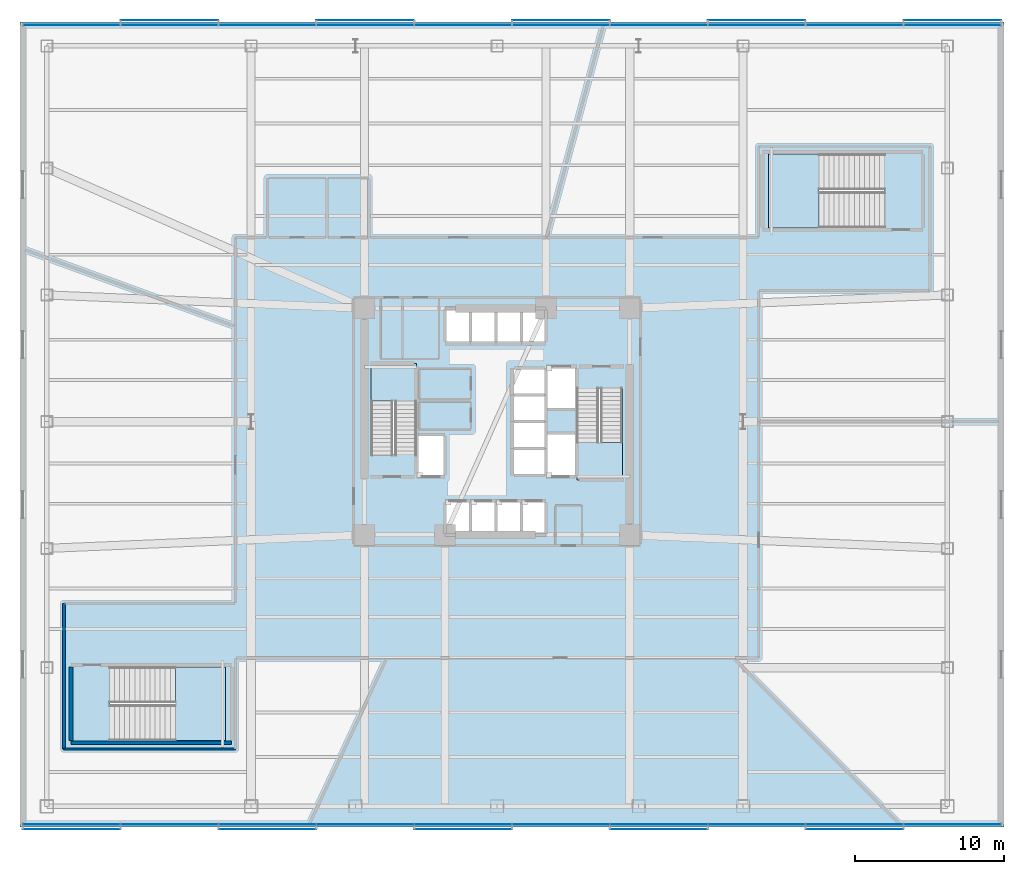
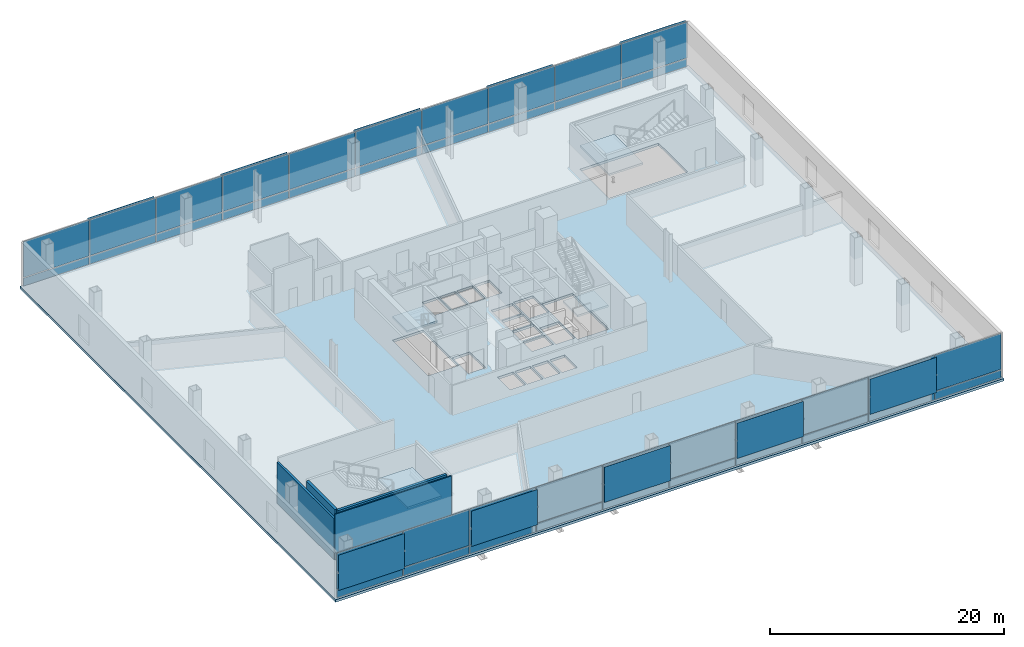
# One storey, part 10 of 24: 50 plates, 5 slabs, 4 walls, 6 elements without a shape of their own.
"""IFC4 building model written with IfcOpenShell, lengths in metres."""

from ifc_helpers import new_model, si_unit, direction, frame, frame_2d, origin, origin_2d, place, context, subcontext, project, spatial, polyline, rectangle, outline, extrude, material, layer, layer_set, type_object, element, aggregate, save


model = new_model("IFC4")

# Units and contexts
model_context = context("Model", 3, precision=1e-05, world=origin(), true_north=direction((0.0, 1.0)))
body_context = subcontext(model_context, "Body", "Model", "MODEL_VIEW")
ifc_project = project(units=[si_unit("LENGTHUNIT", "METRE"), si_unit("AREAUNIT", "SQUARE_METRE"), si_unit("VOLUMEUNIT", "CUBIC_METRE"), si_unit("PLANEANGLEUNIT", "RADIAN"), si_unit("MASSUNIT", "GRAM", prefix="KILO")], contexts=[model_context])

# Site, building, storey
site_placement = place(None, origin())
site = spatial("IfcSite", under=ifc_project, at=site_placement, CompositionType="ELEMENT")
building_placement = place(site_placement, origin())
building = spatial("IfcBuilding", under=site, at=building_placement, Name="Tharavind Bronze Gate", CompositionType="ELEMENT")
storey_placement = place(building_placement, frame((0.0, 0.0, 21.5)))
storey = spatial("IfcBuildingStorey", under=building, at=storey_placement, Name="L04", CompositionType="ELEMENT", Elevation=21.5)

# Plates
ifc_material_1 = material(Name="Perforated Bronze Alloy", Category="bronze")
ifc_layer_1 = layer(ifc_material_1, 0.011962890625)
ifc_layer_set_1 = layer_set([ifc_layer_1], Name="Perforated Bronze Alloy")
plate_type_1 = type_object("IfcPlateType", Name="BRONZE PERFORATED SOLAR SCREEN", PredefinedType="USERDEFINED", material=ifc_layer_set_1)
for number, where, z_axis, x_axis, name in (
    (1, (-28.5380859375, -27.3349609375, 0.97412109375), (0.0, 0.0, 1.0), (1.0, 0.0, 0.0), "CW-L04-S1 perforated bronze solar screen 1"),
    (2, (-15.409912109375, -27.3349609375, 0.97412109375), (0.0, 0.0, 1.0), (1.0, 0.0, 0.0), "CW-L04-S1 perforated bronze solar screen 3"),
    (3, (-2.281982421875, -27.3349609375, 0.97412109375), (0.0, 0.0, 1.0), (1.0, 0.0, 0.0), "CW-L04-S1 perforated bronze solar screen 5"),
    (4, (10.845947265625, -27.3349609375, 0.97412109375), (0.0, 0.0, 1.0), (1.0, 0.0, 0.0), "CW-L04-S1 perforated bronze solar screen 7"),
    (5, (23.97412109375, -27.3349609375, 0.97412109375), (0.0, 0.0, 1.0), (1.0, 0.0, 0.0), "CW-L04-S1 perforated bronze solar screen 9"),
    (6, (30.5380859375, 26.93505859375, 0.97412109375), (0.0, 0.0, 1.0), (-1.0, 0.0, 0.0), "CW-L04-S2 perforated bronze solar screen 1"),
    (7, (17.409912109375, 26.93505859375, 0.97412109375), (0.0, 0.0, 1.0), (-1.0, 0.0, 0.0), "CW-L04-S2 perforated bronze solar screen 3"),
    (8, (4.281982421875, 26.93505859375, 0.97412109375), (0.0, 0.0, 1.0), (-1.0, 0.0, 0.0), "CW-L04-S2 perforated bronze solar screen 5"),
    (9, (-8.845947265625, 26.93505859375, 0.97412109375), (0.0, 0.0, 1.0), (-1.0, 0.0, 0.0), "CW-L04-S2 perforated bronze solar screen 7"),
    (10, (-21.97412109375, 26.93505859375, 0.97412109375), (0.0, 0.0, 1.0), (-1.0, 0.0, 0.0), "CW-L04-S2 perforated bronze solar screen 9"),
):
    element("IfcPlate", number, at=place(storey_placement, frame(where, z_axis=z_axis, x_axis=x_axis)), inside=storey, type_object=plate_type_1, Name=name, ObjectType="SCREEN", PredefinedType="USERDEFINED", context=body_context, shape_type="SweptSolid", body=[
        extrude(rectangle(XDim=6.5439453125, YDim=0.011962890625, at=origin_2d()), origin(), (0.0, 0.0, 1.0), 3.69189453125),
    ])

# Curtain wall, plates
ifc_material_2 = material(Name="Anodised Bronze Aluminium", Category="aluminium")
ifc_layer_2 = layer(ifc_material_2, 0.219970703125)
ifc_layer_set_2 = layer_set([ifc_layer_2], Name="Anodised Bronze Aluminium")
curtain_wall_type = type_object("IfcCurtainWallType", Name="UNITISED CURTAIN WALL PODIUM", PredefinedType="USERDEFINED", material=ifc_layer_set_2)
curtain_wall_1_placement = place(storey_placement, origin())
curtain_wall_1 = element("IfcCurtainWall", 11, at=curtain_wall_1_placement, inside=storey, type_object=curtain_wall_type, Name="L04 unitised curtain wall podium CW-L04-S1", ObjectType="UNITISED CURTAIN WALL", PredefinedType="USERDEFINED")
ifc_material_3 = material(Name="Patinated Bronze Alloy Sheet", Category="bronze")
ifc_layer_3 = layer(ifc_material_3, 0.01611328125)
ifc_layer_set_3 = layer_set([ifc_layer_3], Name="Patinated Bronze Alloy Sheet")
plate_type_2 = type_object("IfcPlateType", Name="BRONZE SPANDREL CLADDING PANEL 16", PredefinedType="CURTAIN_PANEL", material=ifc_layer_set_3)
plate_1_placement = place(storey_placement, frame((-28.5380859375, -27.02001953125, 0.033935546875), z_axis=(0.0, 0.0, 1.0), x_axis=(1.0, 0.0, 0.0)))
plate_1 = element("IfcPlate", 12, at=plate_1_placement, type_object=plate_type_2, Name="CW-L04-S1 bronze spandrel panel 1", PredefinedType="CURTAIN_PANEL", context=body_context, shape_type="SweptSolid", body=[
    extrude(rectangle(XDim=6.49609375, YDim=0.01611328125, at=origin_2d()), origin(), (0.0, 0.0, 1.0), 0.83203125),
])
plate_2_placement = place(storey_placement, frame((-21.97412109375, -27.02001953125, 0.033935546875), z_axis=(0.0, 0.0, 1.0), x_axis=(1.0, 0.0, 0.0)))
plate_2 = element("IfcPlate", 13, at=plate_2_placement, type_object=plate_type_2, Name="CW-L04-S1 bronze spandrel panel 2", PredefinedType="CURTAIN_PANEL", context=body_context, shape_type="SweptSolid", body=[
    extrude(rectangle(XDim=6.49609375, YDim=0.01611328125, at=origin_2d()), origin(), (0.0, 0.0, 1.0), 0.83203125),
])
plate_3_placement = place(storey_placement, frame((-15.409912109375, -27.02001953125, 0.033935546875), z_axis=(0.0, 0.0, 1.0), x_axis=(1.0, 0.0, 0.0)))
plate_3 = element("IfcPlate", 14, at=plate_3_placement, type_object=plate_type_2, Name="CW-L04-S1 bronze spandrel panel 3", PredefinedType="CURTAIN_PANEL", context=body_context, shape_type="SweptSolid", body=[
    extrude(rectangle(XDim=6.49609375, YDim=0.01611328125, at=origin_2d()), origin(), (0.0, 0.0, 1.0), 0.83203125),
])
plate_4_placement = place(storey_placement, frame((-8.845947265625, -27.02001953125, 0.033935546875), z_axis=(0.0, 0.0, 1.0), x_axis=(1.0, 0.0, 0.0)))
plate_4 = element("IfcPlate", 15, at=plate_4_placement, type_object=plate_type_2, Name="CW-L04-S1 bronze spandrel panel 4", PredefinedType="CURTAIN_PANEL", context=body_context, shape_type="SweptSolid", body=[
    extrude(rectangle(XDim=6.49609375, YDim=0.01611328125, at=origin_2d()), origin(), (0.0, 0.0, 1.0), 0.83203125),
])
plate_5_placement = place(storey_placement, frame((-2.281982421875, -27.02001953125, 0.033935546875), z_axis=(0.0, 0.0, 1.0), x_axis=(1.0, 0.0, 0.0)))
plate_5 = element("IfcPlate", 16, at=plate_5_placement, type_object=plate_type_2, Name="CW-L04-S1 bronze spandrel panel 5", PredefinedType="CURTAIN_PANEL", context=body_context, shape_type="SweptSolid", body=[
    extrude(rectangle(XDim=6.49609375, YDim=0.01611328125, at=origin_2d()), origin(), (0.0, 0.0, 1.0), 0.83203125),
])
plate_6_placement = place(storey_placement, frame((4.281982421875, -27.02001953125, 0.033935546875), z_axis=(0.0, 0.0, 1.0), x_axis=(1.0, 0.0, 0.0)))
plate_6 = element("IfcPlate", 17, at=plate_6_placement, type_object=plate_type_2, Name="CW-L04-S1 bronze spandrel panel 6", PredefinedType="CURTAIN_PANEL", context=body_context, shape_type="SweptSolid", body=[
    extrude(rectangle(XDim=6.49609375, YDim=0.01611328125, at=origin_2d()), origin(), (0.0, 0.0, 1.0), 0.83203125),
])
plate_7_placement = place(storey_placement, frame((10.845947265625, -27.02001953125, 0.033935546875), z_axis=(0.0, 0.0, 1.0), x_axis=(1.0, 0.0, 0.0)))
plate_7 = element("IfcPlate", 18, at=plate_7_placement, type_object=plate_type_2, Name="CW-L04-S1 bronze spandrel panel 7", PredefinedType="CURTAIN_PANEL", context=body_context, shape_type="SweptSolid", body=[
    extrude(rectangle(XDim=6.49609375, YDim=0.01611328125, at=origin_2d()), origin(), (0.0, 0.0, 1.0), 0.83203125),
])
plate_8_placement = place(storey_placement, frame((17.409912109375, -27.02001953125, 0.033935546875), z_axis=(0.0, 0.0, 1.0), x_axis=(1.0, 0.0, 0.0)))
plate_8 = element("IfcPlate", 19, at=plate_8_placement, type_object=plate_type_2, Name="CW-L04-S1 bronze spandrel panel 8", PredefinedType="CURTAIN_PANEL", context=body_context, shape_type="SweptSolid", body=[
    extrude(rectangle(XDim=6.49609375, YDim=0.01611328125, at=origin_2d()), origin(), (0.0, 0.0, 1.0), 0.83203125),
])
plate_9_placement = place(storey_placement, frame((23.97412109375, -27.02001953125, 0.033935546875), z_axis=(0.0, 0.0, 1.0), x_axis=(1.0, 0.0, 0.0)))
plate_9 = element("IfcPlate", 20, at=plate_9_placement, type_object=plate_type_2, Name="CW-L04-S1 bronze spandrel panel 9", PredefinedType="CURTAIN_PANEL", context=body_context, shape_type="SweptSolid", body=[
    extrude(rectangle(XDim=6.49609375, YDim=0.01611328125, at=origin_2d()), origin(), (0.0, 0.0, 1.0), 0.83203125),
])
plate_10_placement = place(storey_placement, frame((30.5380859375, -27.02001953125, 0.033935546875), z_axis=(0.0, 0.0, 1.0), x_axis=(1.0, 0.0, 0.0)))
plate_10 = element("IfcPlate", 21, at=plate_10_placement, type_object=plate_type_2, Name="CW-L04-S1 bronze spandrel panel 10", PredefinedType="CURTAIN_PANEL", context=body_context, shape_type="SweptSolid", body=[
    extrude(rectangle(XDim=6.49609375, YDim=0.01611328125, at=origin_2d()), origin(), (0.0, 0.0, 1.0), 0.83203125),
])

curtain_wall_2_placement = place(storey_placement, origin())
curtain_wall_2 = element("IfcCurtainWall", 22, at=curtain_wall_2_placement, inside=storey, type_object=curtain_wall_type, Name="L04 unitised curtain wall podium CW-L04-S2", ObjectType="UNITISED CURTAIN WALL", PredefinedType="USERDEFINED")
plate_11_placement = place(storey_placement, frame((30.5380859375, 26.6201171875, 0.033935546875), z_axis=(0.0, 0.0, 1.0), x_axis=(-1.0, 0.0, 0.0)))
plate_11 = element("IfcPlate", 23, at=plate_11_placement, type_object=plate_type_2, Name="CW-L04-S2 bronze spandrel panel 1", PredefinedType="CURTAIN_PANEL", context=body_context, shape_type="SweptSolid", body=[
    extrude(rectangle(XDim=6.49609375, YDim=0.01611328125, at=origin_2d()), origin(), (0.0, 0.0, 1.0), 0.83203125),
])
plate_12_placement = place(storey_placement, frame((23.97412109375, 26.6201171875, 0.033935546875), z_axis=(0.0, 0.0, 1.0), x_axis=(-1.0, 0.0, 0.0)))
plate_12 = element("IfcPlate", 24, at=plate_12_placement, type_object=plate_type_2, Name="CW-L04-S2 bronze spandrel panel 2", PredefinedType="CURTAIN_PANEL", context=body_context, shape_type="SweptSolid", body=[
    extrude(rectangle(XDim=6.49609375, YDim=0.01611328125, at=origin_2d()), origin(), (0.0, 0.0, 1.0), 0.83203125),
])
plate_13_placement = place(storey_placement, frame((17.409912109375, 26.6201171875, 0.033935546875), z_axis=(0.0, 0.0, 1.0), x_axis=(-1.0, 0.0, 0.0)))
plate_13 = element("IfcPlate", 25, at=plate_13_placement, type_object=plate_type_2, Name="CW-L04-S2 bronze spandrel panel 3", PredefinedType="CURTAIN_PANEL", context=body_context, shape_type="SweptSolid", body=[
    extrude(rectangle(XDim=6.49609375, YDim=0.01611328125, at=origin_2d()), origin(), (0.0, 0.0, 1.0), 0.83203125),
])
plate_14_placement = place(storey_placement, frame((10.845947265625, 26.6201171875, 0.033935546875), z_axis=(0.0, 0.0, 1.0), x_axis=(-1.0, 0.0, 0.0)))
plate_14 = element("IfcPlate", 26, at=plate_14_placement, type_object=plate_type_2, Name="CW-L04-S2 bronze spandrel panel 4", PredefinedType="CURTAIN_PANEL", context=body_context, shape_type="SweptSolid", body=[
    extrude(rectangle(XDim=6.49609375, YDim=0.01611328125, at=origin_2d()), origin(), (0.0, 0.0, 1.0), 0.83203125),
])
plate_15_placement = place(storey_placement, frame((4.281982421875, 26.6201171875, 0.033935546875), z_axis=(0.0, 0.0, 1.0), x_axis=(-1.0, 0.0, 0.0)))
plate_15 = element("IfcPlate", 27, at=plate_15_placement, type_object=plate_type_2, Name="CW-L04-S2 bronze spandrel panel 5", PredefinedType="CURTAIN_PANEL", context=body_context, shape_type="SweptSolid", body=[
    extrude(rectangle(XDim=6.49609375, YDim=0.01611328125, at=origin_2d()), origin(), (0.0, 0.0, 1.0), 0.83203125),
])
plate_16_placement = place(storey_placement, frame((-2.281982421875, 26.6201171875, 0.033935546875), z_axis=(0.0, 0.0, 1.0), x_axis=(-1.0, 0.0, 0.0)))
plate_16 = element("IfcPlate", 28, at=plate_16_placement, type_object=plate_type_2, Name="CW-L04-S2 bronze spandrel panel 6", PredefinedType="CURTAIN_PANEL", context=body_context, shape_type="SweptSolid", body=[
    extrude(rectangle(XDim=6.49609375, YDim=0.01611328125, at=origin_2d()), origin(), (0.0, 0.0, 1.0), 0.83203125),
])
plate_17_placement = place(storey_placement, frame((-8.845947265625, 26.6201171875, 0.033935546875), z_axis=(0.0, 0.0, 1.0), x_axis=(-1.0, 0.0, 0.0)))
plate_17 = element("IfcPlate", 29, at=plate_17_placement, type_object=plate_type_2, Name="CW-L04-S2 bronze spandrel panel 7", PredefinedType="CURTAIN_PANEL", context=body_context, shape_type="SweptSolid", body=[
    extrude(rectangle(XDim=6.49609375, YDim=0.01611328125, at=origin_2d()), origin(), (0.0, 0.0, 1.0), 0.83203125),
])
plate_18_placement = place(storey_placement, frame((-15.409912109375, 26.6201171875, 0.033935546875), z_axis=(0.0, 0.0, 1.0), x_axis=(-1.0, 0.0, 0.0)))
plate_18 = element("IfcPlate", 30, at=plate_18_placement, type_object=plate_type_2, Name="CW-L04-S2 bronze spandrel panel 8", PredefinedType="CURTAIN_PANEL", context=body_context, shape_type="SweptSolid", body=[
    extrude(rectangle(XDim=6.49609375, YDim=0.01611328125, at=origin_2d()), origin(), (0.0, 0.0, 1.0), 0.83203125),
])
plate_19_placement = place(storey_placement, frame((-21.97412109375, 26.6201171875, 0.033935546875), z_axis=(0.0, 0.0, 1.0), x_axis=(-1.0, 0.0, 0.0)))
plate_19 = element("IfcPlate", 31, at=plate_19_placement, type_object=plate_type_2, Name="CW-L04-S2 bronze spandrel panel 9", PredefinedType="CURTAIN_PANEL", context=body_context, shape_type="SweptSolid", body=[
    extrude(rectangle(XDim=6.49609375, YDim=0.01611328125, at=origin_2d()), origin(), (0.0, 0.0, 1.0), 0.83203125),
])
plate_20_placement = place(storey_placement, frame((-28.5380859375, 26.6201171875, 0.033935546875), z_axis=(0.0, 0.0, 1.0), x_axis=(-1.0, 0.0, 0.0)))
plate_20 = element("IfcPlate", 32, at=plate_20_placement, type_object=plate_type_2, Name="CW-L04-S2 bronze spandrel panel 10", PredefinedType="CURTAIN_PANEL", context=body_context, shape_type="SweptSolid", body=[
    extrude(rectangle(XDim=6.49609375, YDim=0.01611328125, at=origin_2d()), origin(), (0.0, 0.0, 1.0), 0.83203125),
])

# Plate
ifc_material_4 = material(Name="Low-E Double Glazing", Category="glass")
ifc_layer_4 = layer(ifc_material_4, 0.031982421875)
ifc_layer_set_4 = layer_set([ifc_layer_4], Name="Low-E Double Glazing")
plate_type_3 = type_object("IfcPlateType", Name="DOUBLE GLAZED FACADE PANEL 32", PredefinedType="CURTAIN_PANEL", material=ifc_layer_set_4)
plate_21_placement = place(storey_placement, frame((-28.5380859375, -27.02001953125, 0.93408203125), z_axis=(0.0, 0.0, 1.0), x_axis=(1.0, 0.0, 0.0)))
plate_21 = element("IfcPlate", 33, at=plate_21_placement, type_object=plate_type_3, Name="CW-L04-S1 vision glazing panel 1", PredefinedType="CURTAIN_PANEL", context=body_context, shape_type="SweptSolid", body=[
    extrude(rectangle(XDim=6.49609375, YDim=0.031982421875, at=origin_2d()), origin(), (0.0, 0.0, 1.0), 3.77197265625),
])

plate_22_placement = place(storey_placement, frame((-21.97412109375, -27.02001953125, 0.93408203125), z_axis=(0.0, 0.0, 1.0), x_axis=(1.0, 0.0, 0.0)))
plate_22 = element("IfcPlate", 34, at=plate_22_placement, type_object=plate_type_3, Name="CW-L04-S1 vision glazing panel 2", PredefinedType="CURTAIN_PANEL", context=body_context, shape_type="SweptSolid", body=[
    extrude(rectangle(XDim=6.49609375, YDim=0.031982421875, at=origin_2d()), origin(), (0.0, 0.0, 1.0), 3.77197265625),
])

plate_23_placement = place(storey_placement, frame((-15.409912109375, -27.02001953125, 0.93408203125), z_axis=(0.0, 0.0, 1.0), x_axis=(1.0, 0.0, 0.0)))
plate_23 = element("IfcPlate", 35, at=plate_23_placement, type_object=plate_type_3, Name="CW-L04-S1 vision glazing panel 3", PredefinedType="CURTAIN_PANEL", context=body_context, shape_type="SweptSolid", body=[
    extrude(rectangle(XDim=6.49609375, YDim=0.031982421875, at=origin_2d()), origin(), (0.0, 0.0, 1.0), 3.77197265625),
])

plate_24_placement = place(storey_placement, frame((-8.845947265625, -27.02001953125, 0.93408203125), z_axis=(0.0, 0.0, 1.0), x_axis=(1.0, 0.0, 0.0)))
plate_24 = element("IfcPlate", 36, at=plate_24_placement, type_object=plate_type_3, Name="CW-L04-S1 vision glazing panel 4", PredefinedType="CURTAIN_PANEL", context=body_context, shape_type="SweptSolid", body=[
    extrude(rectangle(XDim=6.49609375, YDim=0.031982421875, at=origin_2d()), origin(), (0.0, 0.0, 1.0), 3.77197265625),
])

plate_25_placement = place(storey_placement, frame((-2.281982421875, -27.02001953125, 0.93408203125), z_axis=(0.0, 0.0, 1.0), x_axis=(1.0, 0.0, 0.0)))
plate_25 = element("IfcPlate", 37, at=plate_25_placement, type_object=plate_type_3, Name="CW-L04-S1 vision glazing panel 5", PredefinedType="CURTAIN_PANEL", context=body_context, shape_type="SweptSolid", body=[
    extrude(rectangle(XDim=6.49609375, YDim=0.031982421875, at=origin_2d()), origin(), (0.0, 0.0, 1.0), 3.77197265625),
])

plate_26_placement = place(storey_placement, frame((4.281982421875, -27.02001953125, 0.93408203125), z_axis=(0.0, 0.0, 1.0), x_axis=(1.0, 0.0, 0.0)))
plate_26 = element("IfcPlate", 38, at=plate_26_placement, type_object=plate_type_3, Name="CW-L04-S1 vision glazing panel 6", PredefinedType="CURTAIN_PANEL", context=body_context, shape_type="SweptSolid", body=[
    extrude(rectangle(XDim=6.49609375, YDim=0.031982421875, at=origin_2d()), origin(), (0.0, 0.0, 1.0), 3.77197265625),
])

plate_27_placement = place(storey_placement, frame((10.845947265625, -27.02001953125, 0.93408203125), z_axis=(0.0, 0.0, 1.0), x_axis=(1.0, 0.0, 0.0)))
plate_27 = element("IfcPlate", 39, at=plate_27_placement, type_object=plate_type_3, Name="CW-L04-S1 vision glazing panel 7", PredefinedType="CURTAIN_PANEL", context=body_context, shape_type="SweptSolid", body=[
    extrude(rectangle(XDim=6.49609375, YDim=0.031982421875, at=origin_2d()), origin(), (0.0, 0.0, 1.0), 3.77197265625),
])

plate_28_placement = place(storey_placement, frame((17.409912109375, -27.02001953125, 0.93408203125), z_axis=(0.0, 0.0, 1.0), x_axis=(1.0, 0.0, 0.0)))
plate_28 = element("IfcPlate", 40, at=plate_28_placement, type_object=plate_type_3, Name="CW-L04-S1 vision glazing panel 8", PredefinedType="CURTAIN_PANEL", context=body_context, shape_type="SweptSolid", body=[
    extrude(rectangle(XDim=6.49609375, YDim=0.031982421875, at=origin_2d()), origin(), (0.0, 0.0, 1.0), 3.77197265625),
])

plate_29_placement = place(storey_placement, frame((23.97412109375, -27.02001953125, 0.93408203125), z_axis=(0.0, 0.0, 1.0), x_axis=(1.0, 0.0, 0.0)))
plate_29 = element("IfcPlate", 41, at=plate_29_placement, type_object=plate_type_3, Name="CW-L04-S1 vision glazing panel 9", PredefinedType="CURTAIN_PANEL", context=body_context, shape_type="SweptSolid", body=[
    extrude(rectangle(XDim=6.49609375, YDim=0.031982421875, at=origin_2d()), origin(), (0.0, 0.0, 1.0), 3.77197265625),
])

plate_30_placement = place(storey_placement, frame((30.5380859375, -27.02001953125, 0.93408203125), z_axis=(0.0, 0.0, 1.0), x_axis=(1.0, 0.0, 0.0)))
plate_30 = element("IfcPlate", 42, at=plate_30_placement, type_object=plate_type_3, Name="CW-L04-S1 vision glazing panel 10", PredefinedType="CURTAIN_PANEL", context=body_context, shape_type="SweptSolid", body=[
    extrude(rectangle(XDim=6.49609375, YDim=0.031982421875, at=origin_2d()), origin(), (0.0, 0.0, 1.0), 3.77197265625),
])

aggregate(curtain_wall_1, [plate_1, plate_21, plate_2, plate_22, plate_3, plate_23, plate_4, plate_24, plate_5, plate_25, plate_6, plate_26, plate_7, plate_27, plate_8, plate_28, plate_9, plate_29, plate_10, plate_30])

plate_31_placement = place(storey_placement, frame((30.5380859375, 26.6201171875, 0.93408203125), z_axis=(0.0, 0.0, 1.0), x_axis=(-1.0, 0.0, 0.0)))
plate_31 = element("IfcPlate", 43, at=plate_31_placement, type_object=plate_type_3, Name="CW-L04-S2 vision glazing panel 1", PredefinedType="CURTAIN_PANEL", context=body_context, shape_type="SweptSolid", body=[
    extrude(rectangle(XDim=6.49609375, YDim=0.031982421875, at=origin_2d()), origin(), (0.0, 0.0, 1.0), 3.77197265625),
])

plate_32_placement = place(storey_placement, frame((23.97412109375, 26.6201171875, 0.93408203125), z_axis=(0.0, 0.0, 1.0), x_axis=(-1.0, 0.0, 0.0)))
plate_32 = element("IfcPlate", 44, at=plate_32_placement, type_object=plate_type_3, Name="CW-L04-S2 vision glazing panel 2", PredefinedType="CURTAIN_PANEL", context=body_context, shape_type="SweptSolid", body=[
    extrude(rectangle(XDim=6.49609375, YDim=0.031982421875, at=origin_2d()), origin(), (0.0, 0.0, 1.0), 3.77197265625),
])

plate_33_placement = place(storey_placement, frame((17.409912109375, 26.6201171875, 0.93408203125), z_axis=(0.0, 0.0, 1.0), x_axis=(-1.0, 0.0, 0.0)))
plate_33 = element("IfcPlate", 45, at=plate_33_placement, type_object=plate_type_3, Name="CW-L04-S2 vision glazing panel 3", PredefinedType="CURTAIN_PANEL", context=body_context, shape_type="SweptSolid", body=[
    extrude(rectangle(XDim=6.49609375, YDim=0.031982421875, at=origin_2d()), origin(), (0.0, 0.0, 1.0), 3.77197265625),
])

plate_34_placement = place(storey_placement, frame((10.845947265625, 26.6201171875, 0.93408203125), z_axis=(0.0, 0.0, 1.0), x_axis=(-1.0, 0.0, 0.0)))
plate_34 = element("IfcPlate", 46, at=plate_34_placement, type_object=plate_type_3, Name="CW-L04-S2 vision glazing panel 4", PredefinedType="CURTAIN_PANEL", context=body_context, shape_type="SweptSolid", body=[
    extrude(rectangle(XDim=6.49609375, YDim=0.031982421875, at=origin_2d()), origin(), (0.0, 0.0, 1.0), 3.77197265625),
])

plate_35_placement = place(storey_placement, frame((4.281982421875, 26.6201171875, 0.93408203125), z_axis=(0.0, 0.0, 1.0), x_axis=(-1.0, 0.0, 0.0)))
plate_35 = element("IfcPlate", 47, at=plate_35_placement, type_object=plate_type_3, Name="CW-L04-S2 vision glazing panel 5", PredefinedType="CURTAIN_PANEL", context=body_context, shape_type="SweptSolid", body=[
    extrude(rectangle(XDim=6.49609375, YDim=0.031982421875, at=origin_2d()), origin(), (0.0, 0.0, 1.0), 3.77197265625),
])

plate_36_placement = place(storey_placement, frame((-2.281982421875, 26.6201171875, 0.93408203125), z_axis=(0.0, 0.0, 1.0), x_axis=(-1.0, 0.0, 0.0)))
plate_36 = element("IfcPlate", 48, at=plate_36_placement, type_object=plate_type_3, Name="CW-L04-S2 vision glazing panel 6", PredefinedType="CURTAIN_PANEL", context=body_context, shape_type="SweptSolid", body=[
    extrude(rectangle(XDim=6.49609375, YDim=0.031982421875, at=origin_2d()), origin(), (0.0, 0.0, 1.0), 3.77197265625),
])

plate_37_placement = place(storey_placement, frame((-8.845947265625, 26.6201171875, 0.93408203125), z_axis=(0.0, 0.0, 1.0), x_axis=(-1.0, 0.0, 0.0)))
plate_37 = element("IfcPlate", 49, at=plate_37_placement, type_object=plate_type_3, Name="CW-L04-S2 vision glazing panel 7", PredefinedType="CURTAIN_PANEL", context=body_context, shape_type="SweptSolid", body=[
    extrude(rectangle(XDim=6.49609375, YDim=0.031982421875, at=origin_2d()), origin(), (0.0, 0.0, 1.0), 3.77197265625),
])

plate_38_placement = place(storey_placement, frame((-15.409912109375, 26.6201171875, 0.93408203125), z_axis=(0.0, 0.0, 1.0), x_axis=(-1.0, 0.0, 0.0)))
plate_38 = element("IfcPlate", 50, at=plate_38_placement, type_object=plate_type_3, Name="CW-L04-S2 vision glazing panel 8", PredefinedType="CURTAIN_PANEL", context=body_context, shape_type="SweptSolid", body=[
    extrude(rectangle(XDim=6.49609375, YDim=0.031982421875, at=origin_2d()), origin(), (0.0, 0.0, 1.0), 3.77197265625),
])

plate_39_placement = place(storey_placement, frame((-21.97412109375, 26.6201171875, 0.93408203125), z_axis=(0.0, 0.0, 1.0), x_axis=(-1.0, 0.0, 0.0)))
plate_39 = element("IfcPlate", 51, at=plate_39_placement, type_object=plate_type_3, Name="CW-L04-S2 vision glazing panel 9", PredefinedType="CURTAIN_PANEL", context=body_context, shape_type="SweptSolid", body=[
    extrude(rectangle(XDim=6.49609375, YDim=0.031982421875, at=origin_2d()), origin(), (0.0, 0.0, 1.0), 3.77197265625),
])

plate_40_placement = place(storey_placement, frame((-28.5380859375, 26.6201171875, 0.93408203125), z_axis=(0.0, 0.0, 1.0), x_axis=(-1.0, 0.0, 0.0)))
plate_40 = element("IfcPlate", 52, at=plate_40_placement, type_object=plate_type_3, Name="CW-L04-S2 vision glazing panel 10", PredefinedType="CURTAIN_PANEL", context=body_context, shape_type="SweptSolid", body=[
    extrude(rectangle(XDim=6.49609375, YDim=0.031982421875, at=origin_2d()), origin(), (0.0, 0.0, 1.0), 3.77197265625),
])

aggregate(curtain_wall_2, [plate_11, plate_31, plate_12, plate_32, plate_13, plate_33, plate_14, plate_34, plate_15, plate_35, plate_16, plate_36, plate_17, plate_37, plate_18, plate_38, plate_19, plate_39, plate_20, plate_40])

# Stair, slab
ifc_material_5 = material(Name="Concrete C40/50", Category="concrete")
stair_type_1 = type_object("IfcStairType", Name="CORE HALF TURN STAIR 1450", PredefinedType="HALF_TURN_STAIR", material=ifc_material_5)
stair_1_placement = place(storey_placement, origin())
stair_1 = element("IfcStair", 53, at=stair_1_placement, inside=storey, type_object=stair_type_1, Name="L04 Protected Exit Stair ST1", PredefinedType="HALF_TURN_STAIR")
ifc_layer_5 = layer(ifc_material_5, 0.199951171875)
ifc_layer_set_5 = layer_set([ifc_layer_5], Name="Concrete C40/50")
slab_type_1 = type_object("IfcSlabType", Name="STAIR LANDING SLAB 200", PredefinedType="LANDING", material=ifc_layer_set_5)
slab_1_placement = place(storey_placement, frame((0.0, 0.0, 2.300048828125)))
slab_1 = element("IfcSlab", 54, at=slab_1_placement, type_object=slab_type_1, Name="ST1 landing 1", PredefinedType="LANDING", context=body_context, shape_type="SweptSolid", body=[
    extrude(outline(polyline([(-5.39990234375, 1.389892578125), (-5.39990234375, 3.89990234375), (-8.449951171875, 3.89990234375), (-8.449951171875, 1.389892578125), (-5.39990234375, 1.389892578125)])), origin(), (0.0, 0.0, 1.0), 0.199951171875),
])
aggregate(stair_1, [slab_1])

stair_2_placement = place(storey_placement, origin())
stair_2 = element("IfcStair", 55, at=stair_2_placement, inside=storey, type_object=stair_type_1, Name="L04 Protected Exit Stair ST2", PredefinedType="HALF_TURN_STAIR")
slab_2_placement = place(storey_placement, frame((0.0, 0.0, 2.300048828125)))
slab_2 = element("IfcSlab", 56, at=slab_2_placement, type_object=slab_type_1, Name="ST2 landing 1", PredefinedType="LANDING", context=body_context, shape_type="SweptSolid", body=[
    extrude(outline(polyline([(5.35009765625, -1.389892578125), (5.35009765625, -3.89990234375), (8.39990234375, -3.89990234375), (8.39990234375, -1.389892578125), (5.35009765625, -1.389892578125)])), origin(), (0.0, 0.0, 1.0), 0.199951171875),
])
aggregate(stair_2, [slab_2])

stair_type_2 = type_object("IfcStairType", Name="PODIUM HALF TURN STAIR 2400", PredefinedType="HALF_TURN_STAIR", material=ifc_material_5)
stair_3_placement = place(storey_placement, origin())
stair_3 = element("IfcStair", 57, at=stair_3_placement, inside=storey, type_object=stair_type_2, Name="L04 Protected Exit Stair ST3", PredefinedType="HALF_TURN_STAIR")
slab_3_placement = place(storey_placement, frame((0.0, 0.0, 2.300048828125)))
slab_3 = element("IfcSlab", 58, at=slab_3_placement, type_object=slab_type_1, Name="ST3 landing 1", PredefinedType="LANDING", context=body_context, shape_type="SweptSolid", body=[
    extrude(outline(polyline([(-21.580078125, -21.39990234375), (-18.199951171875, -21.39990234375), (-18.199951171875, -16.449951171875), (-21.580078125, -16.449951171875), (-21.580078125, -21.39990234375)])), origin(), (0.0, 0.0, 1.0), 0.199951171875),
])
aggregate(stair_3, [slab_3])

stair_4_placement = place(storey_placement, origin())
stair_4 = element("IfcStair", 59, at=stair_4_placement, inside=storey, type_object=stair_type_2, Name="L04 Protected Exit Stair ST4", PredefinedType="HALF_TURN_STAIR")
slab_4_placement = place(storey_placement, frame((0.0, 0.0, 2.300048828125)))
slab_4 = element("IfcSlab", 60, at=slab_4_placement, type_object=slab_type_1, Name="ST4 landing 1", PredefinedType="LANDING", context=body_context, shape_type="SweptSolid", body=[
    extrude(outline(polyline([(21.580078125, 17.949951171875), (18.199951171875, 17.949951171875), (18.199951171875, 13.0), (21.580078125, 13.0), (21.580078125, 17.949951171875)])), origin(), (0.0, 0.0, 1.0), 0.199951171875),
])
aggregate(stair_4, [slab_4])

# Slab
ifc_layer_6 = layer(ifc_material_5, 0.260009765625)
ifc_layer_set_6 = layer_set([ifc_layer_6], Name="Concrete C40/50")
slab_type_2 = type_object("IfcSlabType", Name="STRUCTURAL FLOOR SLAB 260", PredefinedType="FLOOR", material=ifc_layer_set_6)
slab_5_placement = place(storey_placement, frame((0.0, 0.0, -0.260009765625)))
element("IfcSlab", 61, at=slab_5_placement, inside=storey, type_object=slab_type_2, Name="L04 main structural floor slab", PredefinedType="FLOOR", context=body_context, shape_type="SweptSolid", body=[
    extrude(outline(polyline([(-32.0, -27.199951171875), (34.0, -27.199951171875), (34.0, 26.800048828125), (-32.0, 26.800048828125), (-32.0, -27.199951171875)]), holes=[polyline([(-5.39990234375, -2.215087890625), (-5.39990234375, 3.89990234375), (-8.449951171875, 3.89990234375), (-8.449951171875, -2.215087890625), (-5.39990234375, -2.215087890625)]), polyline([(5.35009765625, 2.215087890625), (5.35009765625, -3.89990234375), (8.39990234375, -3.89990234375), (8.39990234375, 2.215087890625), (5.35009765625, 2.215087890625)]), polyline([(-25.965087890625, -21.39990234375), (-18.199951171875, -21.39990234375), (-18.199951171875, -16.449951171875), (-25.965087890625, -16.449951171875), (-25.965087890625, -21.39990234375)]), polyline([(25.965087890625, 17.949951171875), (18.199951171875, 17.949951171875), (18.199951171875, 13.0), (25.965087890625, 13.0), (25.965087890625, 17.949951171875)]), polyline([(-3.419921875, -7.52001953125), (-1.867431640625, -7.52001953125), (-1.867431640625, -5.3798828125), (-3.419921875, -5.3798828125), (-3.419921875, -7.52001953125)]), polyline([(-1.70751953125, -7.52001953125), (-0.155029296875, -7.52001953125), (-0.155029296875, -5.3798828125), (-1.70751953125, -5.3798828125), (-1.70751953125, -7.52001953125)]), polyline([(0.0048828125, -7.52001953125), (1.5576171875, -7.52001953125), (1.5576171875, -5.3798828125), (0.0048828125, -5.3798828125), (0.0048828125, -7.52001953125)]), polyline([(1.717529296875, -7.52001953125), (3.199951171875, -7.52001953125), (3.199951171875, -5.3798828125), (1.717529296875, -5.3798828125), (1.717529296875, -7.52001953125)]), polyline([(-3.419921875, 5.330078125), (-1.867431640625, 5.330078125), (-1.867431640625, 7.52001953125), (-3.419921875, 7.52001953125), (-3.419921875, 5.330078125)]), polyline([(-1.70751953125, 5.330078125), (-0.155029296875, 5.330078125), (-0.155029296875, 7.52001953125), (-1.70751953125, 7.52001953125), (-1.70751953125, 5.330078125)]), polyline([(0.0048828125, 5.330078125), (1.5576171875, 5.330078125), (1.5576171875, 7.52001953125), (0.0048828125, 7.52001953125), (0.0048828125, 5.330078125)]), polyline([(1.717529296875, 5.330078125), (3.199951171875, 5.330078125), (3.199951171875, 7.52001953125), (1.717529296875, 7.52001953125), (1.717529296875, 5.330078125)]), polyline([(1.080078125, -3.52001953125), (3.199951171875, -3.52001953125), (3.199951171875, -1.8798828125), (1.080078125, -1.8798828125), (1.080078125, -3.52001953125)]), polyline([(1.080078125, -1.719970703125), (3.199951171875, -1.719970703125), (3.199951171875, -0.080078125), (1.080078125, -0.080078125), (1.080078125, -1.719970703125)]), polyline([(1.080078125, 0.080078125), (3.199951171875, 0.080078125), (3.199951171875, 1.719970703125), (1.080078125, 1.719970703125), (1.080078125, 0.080078125)]), polyline([(1.080078125, 1.8798828125), (3.199951171875, 1.8798828125), (3.199951171875, 3.52001953125), (1.080078125, 3.52001953125), (1.080078125, 1.8798828125)]), polyline([(-5.320068359375, -3.6201171875), (-3.580078125, -3.6201171875), (-3.580078125, -0.929931640625), (-5.320068359375, -0.929931640625), (-5.320068359375, -3.6201171875)]), polyline([(3.360107421875, 0.8798828125), (5.27001953125, 0.8798828125), (5.27001953125, 3.6201171875), (3.360107421875, 3.6201171875), (3.360107421875, 0.8798828125)]), polyline([(3.360107421875, -3.6201171875), (5.27001953125, -3.6201171875), (5.27001953125, -0.830078125), (3.360107421875, -0.830078125), (3.360107421875, -3.6201171875)])]), origin(), (0.0, 0.0, 1.0), 0.260009765625),
])

# Walls
ifc_material_6 = material(Name="Aerated Concrete Block", Category="concrete")
ifc_layer_7 = layer(ifc_material_6, 0.199951171875)
ifc_layer_set_7 = layer_set([ifc_layer_7], Name="Aerated Concrete Block")
wall_type_1 = type_object("IfcWallType", Name="FIRE RATED PARTITION 200", PredefinedType="PARTITIONING", material=ifc_layer_set_7)
wall_1_placement = place(storey_placement, frame((-29.050048828125, -12.20068359375, 0.0), z_axis=(0.0, 0.0, 1.0), x_axis=(0.0, -1.0, 0.0)))
element("IfcWall", 62, at=wall_1_placement, inside=storey, type_object=wall_type_1, Name="L04 Fitness & Movement Gymnasium partition", PredefinedType="PARTITIONING", context=body_context, shape_type="SweptSolid", body=[
    extrude(rectangle(XDim=9.748779296875, YDim=0.199951171875, at=frame_2d((4.87451171875, 0.0))), origin(), (0.0, 0.0, 1.0), 4.284912109375),
])
ifc_material_7 = material(Name="Metal Stud Gypsum Partition", Category="gypsum")
ifc_layer_8 = layer(ifc_material_7, 0.1201171875)
ifc_layer_set_8 = layer_set([ifc_layer_8], Name="Metal Stud Gypsum Partition")
wall_type_2 = type_object("IfcWallType", Name="INTERIOR PARTITION WALL 120", PredefinedType="PARTITIONING", material=ifc_layer_set_8)
wall_2_placement = place(storey_placement, frame((-29.04931640625, -21.949951171875, 0.0), z_axis=(0.0, 0.0, 1.0), x_axis=(1.0, 0.0, 0.0)))
element("IfcWall", 63, at=wall_2_placement, inside=storey, type_object=wall_type_2, Name="L04 Fitness & Movement Gymnasium partition", PredefinedType="PARTITIONING", context=body_context, shape_type="SweptSolid", body=[
    extrude(rectangle(XDim=11.498779296875, YDim=0.1201171875, at=frame_2d((5.74951171875, 0.0))), origin(), (0.0, 0.0, 1.0), 4.739990234375),
])
ifc_material_8 = material(Name="Concrete C50/60", Category="concrete")
ifc_layer_9 = layer(ifc_material_8, 0.25)
ifc_layer_set_9 = layer_set([ifc_layer_9], Name="Concrete C50/60")
wall_type_3 = type_object("IfcWallType", Name="RC CORE SHEAR WALL 250", PredefinedType="SHEAR", material=ifc_layer_set_9)
wall_3_placement = place(storey_placement, frame((-28.580078125, -21.530029296875, 0.0), z_axis=(0.0, 0.0, 1.0), x_axis=(1.0, 0.0, 0.0)))
element("IfcWall", 64, at=wall_3_placement, inside=storey, type_object=wall_type_3, Name="L04 ST3 south wall", PredefinedType="SHEAR", context=body_context, shape_type="SweptSolid", body=[
    extrude(rectangle(XDim=10.780029296875, YDim=0.25, at=frame_2d((5.39013671875, 0.0))), origin(), (0.0, 0.0, 1.0), 4.739990234375),
])
wall_4_placement = place(storey_placement, frame((-28.580078125, -21.3798828125, 0.0), z_axis=(0.0, 0.0, 1.0), x_axis=(0.0, 1.0, 0.0)))
element("IfcWall", 65, at=wall_4_placement, inside=storey, type_object=wall_type_3, Name="L04 ST3 west wall", PredefinedType="SHEAR", context=body_context, shape_type="SweptSolid", body=[
    extrude(rectangle(XDim=4.909912109375, YDim=0.25, at=frame_2d((2.455078125, 0.0))), origin(), (0.0, 0.0, 1.0), 4.739990234375),
])

save(model, "model.ifc")
